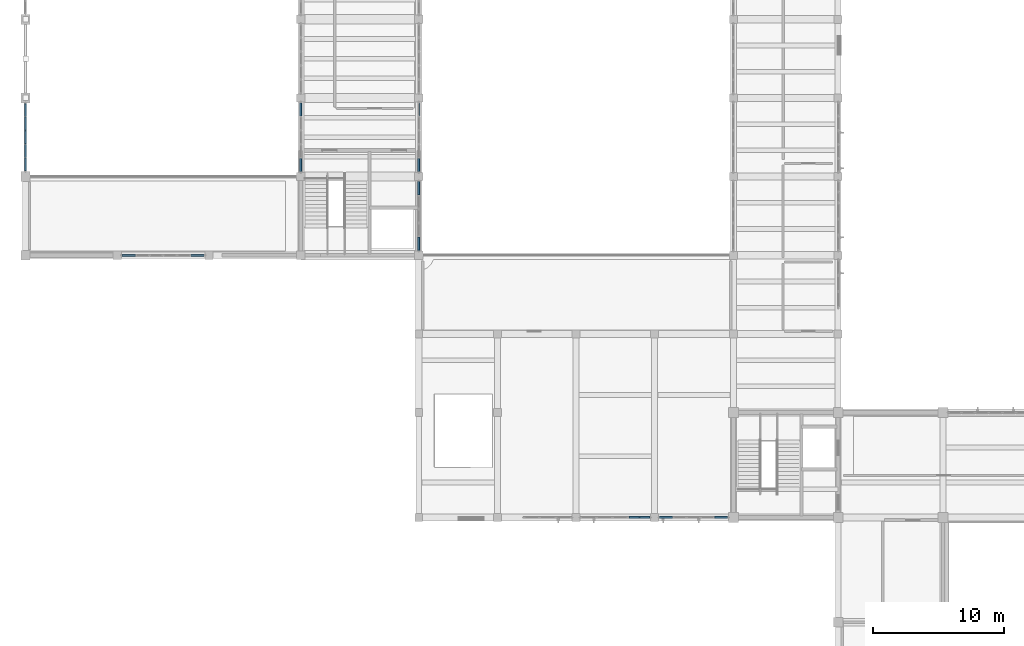
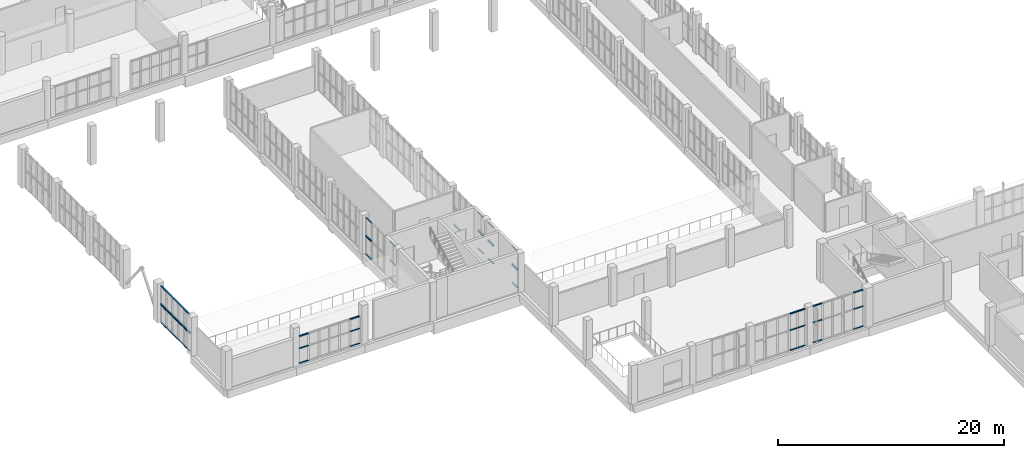
# One storey, part 33 of 85: 59 members, 11 elements without a shape of their own.
"""IFC4 building model written with IfcOpenShell, lengths in metres."""

from ifc_helpers import new_model, si_unit, direction, frame, origin, origin_2d, place, context, subcontext, project, spatial, rectangle, extrude, material, layer, layer_set, material_profile, profile_set, type_object, element, aggregate, save


model = new_model("IFC4")

# Units and contexts
model_context = context("Model", 3, precision=1e-05, world=origin(), true_north=direction((0.0, 1.0)))
body_context = subcontext(model_context, "Body", "Model", "MODEL_VIEW")
ifc_project = project(units=[si_unit("LENGTHUNIT", "METRE"), si_unit("AREAUNIT", "SQUARE_METRE"), si_unit("VOLUMEUNIT", "CUBIC_METRE"), si_unit("PLANEANGLEUNIT", "RADIAN"), si_unit("MASSUNIT", "GRAM", prefix="KILO")], contexts=[model_context])

# Site, building, storey
site_placement = place(None, origin())
site = spatial("IfcSite", under=ifc_project, at=site_placement, CompositionType="ELEMENT")
building_placement = place(site_placement, origin())
building = spatial("IfcBuilding", under=site, at=building_placement, Name="Solvane Community Centre", CompositionType="ELEMENT")
storey_placement = place(building_placement, frame((0.0, 0.0, 5.39990234375)))
storey = spatial("IfcBuildingStorey", under=building, at=storey_placement, Name="L01", CompositionType="ELEMENT", Elevation=5.39990234375)

# Curtain wall, members
ifc_material = material(Name="Anodised bronze aluminium AW-6063 T6", Category="aluminium")
ifc_layer_1 = layer(ifc_material, 0.18994140625)
ifc_layer_set_1 = layer_set([ifc_layer_1], Name="Anodised bronze aluminium AW-6063 T6")
curtain_wall_type_1 = type_object("IfcCurtainWallType", Name="Boulevard Bronze Vision Curtain Wall [53x40dm]", PredefinedType="NOTDEFINED", material=ifc_layer_set_1)
curtain_wall_1_placement = place(storey_placement, origin())
curtain_wall_1 = element("IfcCurtainWall", 1, at=curtain_wall_1_placement, inside=storey, type_object=curtain_wall_type_1, Name="Curtain Wall CW-L01-596_220-080", PredefinedType="NOTDEFINED")
ifc_material_profile_1 = material_profile(ifc_material, rectangle(XDim=0.14990234375, YDim=0.06005859375, at=origin_2d()), Name="CW-T 60x150")
ifc_profile_set_1 = profile_set([ifc_material_profile_1], Name="Anodised bronze aluminium AW-6063 T6")
member_type_1 = type_object("IfcMemberType", Name="Boulevard Transom 60x150", PredefinedType="USERDEFINED", material=ifc_profile_set_1)
member_1_placement = place(storey_placement, frame((59.550048828125, 22.0, 0.030029296875), z_axis=(-1.0, 0.0, 0.0), x_axis=(0.0, -1.0, 0.0)))
member_1 = element("IfcMember", 2, at=member_1_placement, type_object=member_type_1, Name="CW02-53x40 transom 1.1", ObjectType="TRANSOM", PredefinedType="USERDEFINED", context=body_context, shape_type="SweptSolid", body=[
    extrude(rectangle(XDim=0.14990234375, YDim=0.06005859375, at=origin_2d()), origin(), (0.0, 0.0, 1.0), 0.968017578125),
])
member_2_placement = place(storey_placement, frame((59.550048828125, 22.0, 2.189208984375), z_axis=(-1.0, 0.0, 0.0), x_axis=(0.0, -1.0, 0.0)))
member_2 = element("IfcMember", 3, at=member_2_placement, type_object=member_type_1, Name="CW02-53x40 transom 1.2", ObjectType="TRANSOM", PredefinedType="USERDEFINED", context=body_context, shape_type="SweptSolid", body=[
    extrude(rectangle(XDim=0.14990234375, YDim=0.06005859375, at=origin_2d()), origin(), (0.0, 0.0, 1.0), 0.968017578125),
])
member_3_placement = place(storey_placement, frame((59.550048828125, 22.0, 3.9501953125), z_axis=(-1.0, 0.0, 0.0), x_axis=(0.0, -1.0, 0.0)))
member_3 = element("IfcMember", 4, at=member_3_placement, type_object=member_type_1, Name="CW02-53x40 transom 1.3", ObjectType="TRANSOM", PredefinedType="USERDEFINED", context=body_context, shape_type="SweptSolid", body=[
    extrude(rectangle(XDim=0.14990234375, YDim=0.06005859375, at=origin_2d()), origin(), (0.0, 0.0, 1.0), 0.968017578125),
])
member_4_placement = place(storey_placement, frame((55.347900390625, 22.0, 0.030029296875), z_axis=(-1.0, 0.0, 0.0), x_axis=(0.0, -1.0, 0.0)))
member_4 = element("IfcMember", 5, at=member_4_placement, type_object=member_type_1, Name="CW02-53x40 transom 5.1", ObjectType="TRANSOM", PredefinedType="USERDEFINED", context=body_context, shape_type="SweptSolid", body=[
    extrude(rectangle(XDim=0.14990234375, YDim=0.06005859375, at=origin_2d()), origin(), (0.0, 0.0, 1.0), 0.968017578125),
])
member_5_placement = place(storey_placement, frame((55.347900390625, 22.0, 2.189208984375), z_axis=(-1.0, 0.0, 0.0), x_axis=(0.0, -1.0, 0.0)))
member_5 = element("IfcMember", 6, at=member_5_placement, type_object=member_type_1, Name="CW02-53x40 transom 5.2", ObjectType="TRANSOM", PredefinedType="USERDEFINED", context=body_context, shape_type="SweptSolid", body=[
    extrude(rectangle(XDim=0.14990234375, YDim=0.06005859375, at=origin_2d()), origin(), (0.0, 0.0, 1.0), 0.968017578125),
])
member_6_placement = place(storey_placement, frame((55.347900390625, 22.0, 3.9501953125), z_axis=(-1.0, 0.0, 0.0), x_axis=(0.0, -1.0, 0.0)))
member_6 = element("IfcMember", 7, at=member_6_placement, type_object=member_type_1, Name="CW02-53x40 transom 5.3", ObjectType="TRANSOM", PredefinedType="USERDEFINED", context=body_context, shape_type="SweptSolid", body=[
    extrude(rectangle(XDim=0.14990234375, YDim=0.06005859375, at=origin_2d()), origin(), (0.0, 0.0, 1.0), 0.968017578125),
])
aggregate(curtain_wall_1, [member_1, member_2, member_3, member_4, member_5, member_6])

ifc_layer_2 = layer(ifc_material, 0.18994140625)
ifc_layer_set_2 = layer_set([ifc_layer_2], Name="Anodised bronze aluminium AW-6063 T6")
curtain_wall_type_2 = type_object("IfcCurtainWallType", Name="Boulevard Bronze Vision Curtain Wall [17x40dm]", PredefinedType="NOTDEFINED", material=ifc_layer_set_2)
curtain_wall_2_placement = place(storey_placement, origin())
curtain_wall_2 = element("IfcCurtainWall", 8, at=curtain_wall_2_placement, inside=storey, type_object=curtain_wall_type_2, Name="Curtain Wall CW-L01-537_220-081", PredefinedType="NOTDEFINED")
member_7_placement = place(storey_placement, frame((53.6201171875, 22.0, 0.030029296875), z_axis=(-1.0, 0.0, 0.0), x_axis=(0.0, -1.0, 0.0)))
member_7 = element("IfcMember", 9, at=member_7_placement, type_object=member_type_1, Name="CW02-17x40 transom 1.1", ObjectType="TRANSOM", PredefinedType="USERDEFINED", context=body_context, shape_type="SweptSolid", body=[
    extrude(rectangle(XDim=0.14990234375, YDim=0.06005859375, at=origin_2d()), origin(), (0.0, 0.0, 1.0), 0.75),
])
member_8_placement = place(storey_placement, frame((53.6201171875, 22.0, 2.189208984375), z_axis=(-1.0, 0.0, 0.0), x_axis=(0.0, -1.0, 0.0)))
member_8 = element("IfcMember", 10, at=member_8_placement, type_object=member_type_1, Name="CW02-17x40 transom 1.2", ObjectType="TRANSOM", PredefinedType="USERDEFINED", context=body_context, shape_type="SweptSolid", body=[
    extrude(rectangle(XDim=0.14990234375, YDim=0.06005859375, at=origin_2d()), origin(), (0.0, 0.0, 1.0), 0.75),
])
member_9_placement = place(storey_placement, frame((53.6201171875, 22.0, 3.9501953125), z_axis=(-1.0, 0.0, 0.0), x_axis=(0.0, -1.0, 0.0)))
member_9 = element("IfcMember", 11, at=member_9_placement, type_object=member_type_1, Name="CW02-17x40 transom 1.3", ObjectType="TRANSOM", PredefinedType="USERDEFINED", context=body_context, shape_type="SweptSolid", body=[
    extrude(rectangle(XDim=0.14990234375, YDim=0.06005859375, at=origin_2d()), origin(), (0.0, 0.0, 1.0), 0.75),
])
member_10_placement = place(storey_placement, frame((52.81005859375, 22.0, 0.030029296875), z_axis=(-1.0, 0.0, 0.0), x_axis=(0.0, -1.0, 0.0)))
member_10 = element("IfcMember", 12, at=member_10_placement, type_object=member_type_1, Name="CW02-17x40 transom 2.1", ObjectType="TRANSOM", PredefinedType="USERDEFINED", context=body_context, shape_type="SweptSolid", body=[
    extrude(rectangle(XDim=0.14990234375, YDim=0.06005859375, at=origin_2d()), origin(), (0.0, 0.0, 1.0), 0.75),
])
member_11_placement = place(storey_placement, frame((52.81005859375, 22.0, 2.189208984375), z_axis=(-1.0, 0.0, 0.0), x_axis=(0.0, -1.0, 0.0)))
member_11 = element("IfcMember", 13, at=member_11_placement, type_object=member_type_1, Name="CW02-17x40 transom 2.2", ObjectType="TRANSOM", PredefinedType="USERDEFINED", context=body_context, shape_type="SweptSolid", body=[
    extrude(rectangle(XDim=0.14990234375, YDim=0.06005859375, at=origin_2d()), origin(), (0.0, 0.0, 1.0), 0.75),
])
member_12_placement = place(storey_placement, frame((52.81005859375, 22.0, 3.9501953125), z_axis=(-1.0, 0.0, 0.0), x_axis=(0.0, -1.0, 0.0)))
member_12 = element("IfcMember", 14, at=member_12_placement, type_object=member_type_1, Name="CW02-17x40 transom 2.3", ObjectType="TRANSOM", PredefinedType="USERDEFINED", context=body_context, shape_type="SweptSolid", body=[
    extrude(rectangle(XDim=0.14990234375, YDim=0.06005859375, at=origin_2d()), origin(), (0.0, 0.0, 1.0), 0.75),
])
aggregate(curtain_wall_2, [member_7, member_8, member_9, member_10, member_11, member_12])

ifc_layer_3 = layer(ifc_material, 0.18994140625)
ifc_layer_set_3 = layer_set([ifc_layer_3], Name="Anodised bronze aluminium AW-6063 T6")
curtain_wall_type_3 = type_object("IfcCurtainWallType", Name="Boulevard Bronze Vision Curtain Wall [63x30dm]", PredefinedType="NOTDEFINED", material=ifc_layer_set_3)
curtain_wall_3_placement = place(storey_placement, origin())
curtain_wall_3 = element("IfcCurtainWall", 15, at=curtain_wall_3_placement, inside=storey, type_object=curtain_wall_type_3, Name="Curtain Wall CW-L01-197_420-084", PredefinedType="NOTDEFINED")
member_13_placement = place(storey_placement, frame((19.610107421875, 42.0, 0.030029296875), z_axis=(-1.0, 0.0, 0.0), x_axis=(0.0, -1.0, 0.0)))
member_13 = element("IfcMember", 16, at=member_13_placement, type_object=member_type_1, Name="CW02-63x30 transom 1.1", ObjectType="TRANSOM", PredefinedType="USERDEFINED", context=body_context, shape_type="SweptSolid", body=[
    extrude(rectangle(XDim=0.14990234375, YDim=0.06005859375, at=origin_2d()), origin(), (0.0, 0.0, 1.0), 0.966796875),
])
member_14_placement = place(storey_placement, frame((19.610107421875, 42.0, 1.631103515625), z_axis=(-1.0, 0.0, 0.0), x_axis=(0.0, -1.0, 0.0)))
member_14 = element("IfcMember", 17, at=member_14_placement, type_object=member_type_1, Name="CW02-63x30 transom 1.2", ObjectType="TRANSOM", PredefinedType="USERDEFINED", context=body_context, shape_type="SweptSolid", body=[
    extrude(rectangle(XDim=0.14990234375, YDim=0.06005859375, at=origin_2d()), origin(), (0.0, 0.0, 1.0), 0.966796875),
])
member_15_placement = place(storey_placement, frame((19.610107421875, 42.0, 2.93505859375), z_axis=(-1.0, 0.0, 0.0), x_axis=(0.0, -1.0, 0.0)))
member_15 = element("IfcMember", 18, at=member_15_placement, type_object=member_type_1, Name="CW02-63x30 transom 1.3", ObjectType="TRANSOM", PredefinedType="USERDEFINED", context=body_context, shape_type="SweptSolid", body=[
    extrude(rectangle(XDim=0.14990234375, YDim=0.06005859375, at=origin_2d()), origin(), (0.0, 0.0, 1.0), 0.966796875),
])
member_16_placement = place(storey_placement, frame((14.356689453125, 42.0, 0.030029296875), z_axis=(-1.0, 0.0, 0.0), x_axis=(0.0, -1.0, 0.0)))
member_16 = element("IfcMember", 19, at=member_16_placement, type_object=member_type_1, Name="CW02-63x30 transom 6.1", ObjectType="TRANSOM", PredefinedType="USERDEFINED", context=body_context, shape_type="SweptSolid", body=[
    extrude(rectangle(XDim=0.14990234375, YDim=0.06005859375, at=origin_2d()), origin(), (0.0, 0.0, 1.0), 0.966796875),
])
member_17_placement = place(storey_placement, frame((14.356689453125, 42.0, 1.631103515625), z_axis=(-1.0, 0.0, 0.0), x_axis=(0.0, -1.0, 0.0)))
member_17 = element("IfcMember", 20, at=member_17_placement, type_object=member_type_1, Name="CW02-63x30 transom 6.2", ObjectType="TRANSOM", PredefinedType="USERDEFINED", context=body_context, shape_type="SweptSolid", body=[
    extrude(rectangle(XDim=0.14990234375, YDim=0.06005859375, at=origin_2d()), origin(), (0.0, 0.0, 1.0), 0.966796875),
])
member_18_placement = place(storey_placement, frame((14.356689453125, 42.0, 2.93505859375), z_axis=(-1.0, 0.0, 0.0), x_axis=(0.0, -1.0, 0.0)))
member_18 = element("IfcMember", 21, at=member_18_placement, type_object=member_type_1, Name="CW02-63x30 transom 6.3", ObjectType="TRANSOM", PredefinedType="USERDEFINED", context=body_context, shape_type="SweptSolid", body=[
    extrude(rectangle(XDim=0.14990234375, YDim=0.06005859375, at=origin_2d()), origin(), (0.0, 0.0, 1.0), 0.966796875),
])
aggregate(curtain_wall_3, [member_13, member_14, member_15, member_16, member_17, member_18])

ifc_layer_4 = layer(ifc_material, 0.179931640625)
ifc_layer_set_4 = layer_set([ifc_layer_4], Name="Anodised bronze aluminium AW-6063 T6")
curtain_wall_type_4 = type_object("IfcCurtainWallType", Name="Hall Translucent Upper Curtain Wall [53x19dm]", PredefinedType="NOTDEFINED", material=ifc_layer_set_4)
curtain_wall_4_placement = place(storey_placement, origin())
curtain_wall_4 = element("IfcCurtainWall", 22, at=curtain_wall_4_placement, inside=storey, type_object=curtain_wall_type_4, Name="Curtain Wall CW-L01-360_423-031", PredefinedType="NOTDEFINED")
ifc_material_profile_2 = material_profile(ifc_material, rectangle(XDim=0.139892578125, YDim=0.06005859375, at=origin_2d()), Name="CW-T 60x140")
ifc_profile_set_2 = profile_set([ifc_material_profile_2], Name="Anodised bronze aluminium AW-6063 T6")
member_type_2 = type_object("IfcMemberType", Name="Hall Transom 60x140", PredefinedType="USERDEFINED", material=ifc_profile_set_2)
member_19_placement = place(storey_placement, frame((36.0, 42.389892578125, 0.030029296875), z_axis=(0.0, 1.0, 0.0), x_axis=(-1.0, 0.0, 0.0)))
member_19 = element("IfcMember", 23, at=member_19_placement, type_object=member_type_2, Name="CW01-53x19 transom 1.1", ObjectType="TRANSOM", PredefinedType="USERDEFINED", context=body_context, shape_type="SweptSolid", body=[
    extrude(rectangle(XDim=0.139892578125, YDim=0.06005859375, at=origin_2d()), origin(), (0.0, 0.0, 1.0), 0.97802734375),
])
member_20_placement = place(storey_placement, frame((36.0, 42.389892578125, 1.920166015625), z_axis=(0.0, 1.0, 0.0), x_axis=(-1.0, 0.0, 0.0)))
member_20 = element("IfcMember", 24, at=member_20_placement, type_object=member_type_2, Name="CW01-53x19 transom 1.2", ObjectType="TRANSOM", PredefinedType="USERDEFINED", context=body_context, shape_type="SweptSolid", body=[
    extrude(rectangle(XDim=0.139892578125, YDim=0.06005859375, at=origin_2d()), origin(), (0.0, 0.0, 1.0), 0.97802734375),
])
member_21_placement = place(storey_placement, frame((36.0, 46.632080078125, 0.030029296875), z_axis=(0.0, 1.0, 0.0), x_axis=(-1.0, 0.0, 0.0)))
member_21 = element("IfcMember", 25, at=member_21_placement, type_object=member_type_2, Name="CW01-53x19 transom 5.1", ObjectType="TRANSOM", PredefinedType="USERDEFINED", context=body_context, shape_type="SweptSolid", body=[
    extrude(rectangle(XDim=0.139892578125, YDim=0.06005859375, at=origin_2d()), origin(), (0.0, 0.0, 1.0), 0.97802734375),
])
member_22_placement = place(storey_placement, frame((36.0, 46.632080078125, 1.920166015625), z_axis=(0.0, 1.0, 0.0), x_axis=(-1.0, 0.0, 0.0)))
member_22 = element("IfcMember", 26, at=member_22_placement, type_object=member_type_2, Name="CW01-53x19 transom 5.2", ObjectType="TRANSOM", PredefinedType="USERDEFINED", context=body_context, shape_type="SweptSolid", body=[
    extrude(rectangle(XDim=0.139892578125, YDim=0.06005859375, at=origin_2d()), origin(), (0.0, 0.0, 1.0), 0.97802734375),
])
aggregate(curtain_wall_4, [member_19, member_20, member_21, member_22])

ifc_layer_5 = layer(ifc_material, 0.179931640625)
ifc_layer_set_5 = layer_set([ifc_layer_5], Name="Anodised bronze aluminium AW-6063 T6")
curtain_wall_type_5 = type_object("IfcCurtainWallType", Name="Hall Translucent Upper Curtain Wall [53x20dm]", PredefinedType="NOTDEFINED", material=ifc_layer_set_5)
curtain_wall_5_placement = place(storey_placement, origin())
curtain_wall_5 = element("IfcCurtainWall", 27, at=curtain_wall_5_placement, inside=storey, type_object=curtain_wall_type_5, Name="Curtain Wall CW-L01-360_423-032", PredefinedType="NOTDEFINED")
member_23_placement = place(storey_placement, frame((36.0, 42.389892578125, 2.050048828125), z_axis=(0.0, 1.0, 0.0), x_axis=(-1.0, 0.0, 0.0)))
member_23 = element("IfcMember", 28, at=member_23_placement, type_object=member_type_2, Name="CW01-53x20 transom 1.1", ObjectType="TRANSOM", PredefinedType="USERDEFINED", context=body_context, shape_type="SweptSolid", body=[
    extrude(rectangle(XDim=0.139892578125, YDim=0.06005859375, at=origin_2d()), origin(), (0.0, 0.0, 1.0), 0.97802734375),
])
member_24_placement = place(storey_placement, frame((36.0, 42.389892578125, 3.9501953125), z_axis=(0.0, 1.0, 0.0), x_axis=(-1.0, 0.0, 0.0)))
member_24 = element("IfcMember", 29, at=member_24_placement, type_object=member_type_2, Name="CW01-53x20 transom 1.2", ObjectType="TRANSOM", PredefinedType="USERDEFINED", context=body_context, shape_type="SweptSolid", body=[
    extrude(rectangle(XDim=0.139892578125, YDim=0.06005859375, at=origin_2d()), origin(), (0.0, 0.0, 1.0), 0.97802734375),
])
member_25_placement = place(storey_placement, frame((36.0, 46.632080078125, 2.050048828125), z_axis=(0.0, 1.0, 0.0), x_axis=(-1.0, 0.0, 0.0)))
member_25 = element("IfcMember", 30, at=member_25_placement, type_object=member_type_2, Name="CW01-53x20 transom 5.1", ObjectType="TRANSOM", PredefinedType="USERDEFINED", context=body_context, shape_type="SweptSolid", body=[
    extrude(rectangle(XDim=0.139892578125, YDim=0.06005859375, at=origin_2d()), origin(), (0.0, 0.0, 1.0), 0.97802734375),
])
member_26_placement = place(storey_placement, frame((36.0, 46.632080078125, 3.9501953125), z_axis=(0.0, 1.0, 0.0), x_axis=(-1.0, 0.0, 0.0)))
member_26 = element("IfcMember", 31, at=member_26_placement, type_object=member_type_2, Name="CW01-53x20 transom 5.2", ObjectType="TRANSOM", PredefinedType="USERDEFINED", context=body_context, shape_type="SweptSolid", body=[
    extrude(rectangle(XDim=0.139892578125, YDim=0.06005859375, at=origin_2d()), origin(), (0.0, 0.0, 1.0), 0.97802734375),
])
aggregate(curtain_wall_5, [member_23, member_24, member_25, member_26])

curtain_wall_6_placement = place(storey_placement, origin())
curtain_wall_6 = element("IfcCurtainWall", 32, at=curtain_wall_6_placement, inside=storey, type_object=curtain_wall_type_4, Name="Curtain Wall CW-L01-360_483-035", PredefinedType="NOTDEFINED")
member_27_placement = place(storey_placement, frame((36.0, 48.389892578125, 0.030029296875), z_axis=(0.0, 1.0, 0.0), x_axis=(-1.0, 0.0, 0.0)))
member_27 = element("IfcMember", 33, at=member_27_placement, type_object=member_type_2, Name="CW01-53x19 transom 1.1", ObjectType="TRANSOM", PredefinedType="USERDEFINED", context=body_context, shape_type="SweptSolid", body=[
    extrude(rectangle(XDim=0.139892578125, YDim=0.06005859375, at=origin_2d()), origin(), (0.0, 0.0, 1.0), 0.97802734375),
])
member_28_placement = place(storey_placement, frame((36.0, 48.389892578125, 1.920166015625), z_axis=(0.0, 1.0, 0.0), x_axis=(-1.0, 0.0, 0.0)))
member_28 = element("IfcMember", 34, at=member_28_placement, type_object=member_type_2, Name="CW01-53x19 transom 1.2", ObjectType="TRANSOM", PredefinedType="USERDEFINED", context=body_context, shape_type="SweptSolid", body=[
    extrude(rectangle(XDim=0.139892578125, YDim=0.06005859375, at=origin_2d()), origin(), (0.0, 0.0, 1.0), 0.97802734375),
])
member_29_placement = place(storey_placement, frame((36.0, 52.632080078125, 0.030029296875), z_axis=(0.0, 1.0, 0.0), x_axis=(-1.0, 0.0, 0.0)))
member_29 = element("IfcMember", 35, at=member_29_placement, type_object=member_type_2, Name="CW01-53x19 transom 5.1", ObjectType="TRANSOM", PredefinedType="USERDEFINED", context=body_context, shape_type="SweptSolid", body=[
    extrude(rectangle(XDim=0.139892578125, YDim=0.06005859375, at=origin_2d()), origin(), (0.0, 0.0, 1.0), 0.97802734375),
])
aggregate(curtain_wall_6, [member_27, member_28, member_29])

curtain_wall_7_placement = place(storey_placement, origin())
curtain_wall_7 = element("IfcCurtainWall", 36, at=curtain_wall_7_placement, inside=storey, type_object=curtain_wall_type_5, Name="Curtain Wall CW-L01-360_483-036", PredefinedType="NOTDEFINED")
member_30_placement = place(storey_placement, frame((36.0, 48.389892578125, 2.050048828125), z_axis=(0.0, 1.0, 0.0), x_axis=(-1.0, 0.0, 0.0)))
member_30 = element("IfcMember", 37, at=member_30_placement, type_object=member_type_2, Name="CW01-53x20 transom 1.1", ObjectType="TRANSOM", PredefinedType="USERDEFINED", context=body_context, shape_type="SweptSolid", body=[
    extrude(rectangle(XDim=0.139892578125, YDim=0.06005859375, at=origin_2d()), origin(), (0.0, 0.0, 1.0), 0.97802734375),
])
member_31_placement = place(storey_placement, frame((36.0, 48.389892578125, 3.9501953125), z_axis=(0.0, 1.0, 0.0), x_axis=(-1.0, 0.0, 0.0)))
member_31 = element("IfcMember", 38, at=member_31_placement, type_object=member_type_2, Name="CW01-53x20 transom 1.2", ObjectType="TRANSOM", PredefinedType="USERDEFINED", context=body_context, shape_type="SweptSolid", body=[
    extrude(rectangle(XDim=0.139892578125, YDim=0.06005859375, at=origin_2d()), origin(), (0.0, 0.0, 1.0), 0.97802734375),
])
aggregate(curtain_wall_7, [member_30, member_31])

ifc_layer_6 = layer(ifc_material, 0.179931640625)
ifc_layer_set_6 = layer_set([ifc_layer_6], Name="Anodised bronze aluminium AW-6063 T6")
curtain_wall_type_6 = type_object("IfcCurtainWallType", Name="Hall Translucent Upper Curtain Wall [52x19dm]", PredefinedType="NOTDEFINED", material=ifc_layer_set_6)
curtain_wall_8_placement = place(storey_placement, origin())
curtain_wall_8 = element("IfcCurtainWall", 39, at=curtain_wall_8_placement, inside=storey, type_object=curtain_wall_type_6, Name="Curtain Wall CW-L01-60_484-039", PredefinedType="NOTDEFINED")
member_32_placement = place(storey_placement, frame((6.0, 48.455078125, 0.030029296875), z_axis=(0.0, 1.0, 0.0), x_axis=(-1.0, 0.0, 0.0)))
member_32 = element("IfcMember", 40, at=member_32_placement, type_object=member_type_2, Name="CW01-52x19 transom 1.1", ObjectType="TRANSOM", PredefinedType="USERDEFINED", context=body_context, shape_type="SweptSolid", body=[
    extrude(rectangle(XDim=0.139892578125, YDim=0.06005859375, at=origin_2d()), origin(), (0.0, 0.0, 1.0), 0.951904296875),
])
member_33_placement = place(storey_placement, frame((6.0, 48.455078125, 1.920166015625), z_axis=(0.0, 1.0, 0.0), x_axis=(-1.0, 0.0, 0.0)))
member_33 = element("IfcMember", 41, at=member_33_placement, type_object=member_type_2, Name="CW01-52x19 transom 1.2", ObjectType="TRANSOM", PredefinedType="USERDEFINED", context=body_context, shape_type="SweptSolid", body=[
    extrude(rectangle(XDim=0.139892578125, YDim=0.06005859375, at=origin_2d()), origin(), (0.0, 0.0, 1.0), 0.951904296875),
])
member_34_placement = place(storey_placement, frame((6.0, 49.467041015625, 0.030029296875), z_axis=(0.0, 1.0, 0.0), x_axis=(-1.0, 0.0, 0.0)))
member_34 = element("IfcMember", 42, at=member_34_placement, type_object=member_type_2, Name="CW01-52x19 transom 2.1", ObjectType="TRANSOM", PredefinedType="USERDEFINED", context=body_context, shape_type="SweptSolid", body=[
    extrude(rectangle(XDim=0.139892578125, YDim=0.06005859375, at=origin_2d()), origin(), (0.0, 0.0, 1.0), 0.98193359375),
])
member_35_placement = place(storey_placement, frame((6.0, 49.467041015625, 1.920166015625), z_axis=(0.0, 1.0, 0.0), x_axis=(-1.0, 0.0, 0.0)))
member_35 = element("IfcMember", 43, at=member_35_placement, type_object=member_type_2, Name="CW01-52x19 transom 2.2", ObjectType="TRANSOM", PredefinedType="USERDEFINED", context=body_context, shape_type="SweptSolid", body=[
    extrude(rectangle(XDim=0.139892578125, YDim=0.06005859375, at=origin_2d()), origin(), (0.0, 0.0, 1.0), 0.98193359375),
])
member_36_placement = place(storey_placement, frame((6.0, 50.509033203125, 0.030029296875), z_axis=(0.0, 1.0, 0.0), x_axis=(-1.0, 0.0, 0.0)))
member_36 = element("IfcMember", 44, at=member_36_placement, type_object=member_type_2, Name="CW01-52x19 transom 3.1", ObjectType="TRANSOM", PredefinedType="USERDEFINED", context=body_context, shape_type="SweptSolid", body=[
    extrude(rectangle(XDim=0.139892578125, YDim=0.06005859375, at=origin_2d()), origin(), (0.0, 0.0, 1.0), 0.98193359375),
])
member_37_placement = place(storey_placement, frame((6.0, 50.509033203125, 1.920166015625), z_axis=(0.0, 1.0, 0.0), x_axis=(-1.0, 0.0, 0.0)))
member_37 = element("IfcMember", 45, at=member_37_placement, type_object=member_type_2, Name="CW01-52x19 transom 3.2", ObjectType="TRANSOM", PredefinedType="USERDEFINED", context=body_context, shape_type="SweptSolid", body=[
    extrude(rectangle(XDim=0.139892578125, YDim=0.06005859375, at=origin_2d()), origin(), (0.0, 0.0, 1.0), 0.98193359375),
])
member_38_placement = place(storey_placement, frame((6.0, 51.551025390625, 0.030029296875), z_axis=(0.0, 1.0, 0.0), x_axis=(-1.0, 0.0, 0.0)))
member_38 = element("IfcMember", 46, at=member_38_placement, type_object=member_type_2, Name="CW01-52x19 transom 4.1", ObjectType="TRANSOM", PredefinedType="USERDEFINED", context=body_context, shape_type="SweptSolid", body=[
    extrude(rectangle(XDim=0.139892578125, YDim=0.06005859375, at=origin_2d()), origin(), (0.0, 0.0, 1.0), 0.98193359375),
])
member_39_placement = place(storey_placement, frame((6.0, 51.551025390625, 1.920166015625), z_axis=(0.0, 1.0, 0.0), x_axis=(-1.0, 0.0, 0.0)))
member_39 = element("IfcMember", 47, at=member_39_placement, type_object=member_type_2, Name="CW01-52x19 transom 4.2", ObjectType="TRANSOM", PredefinedType="USERDEFINED", context=body_context, shape_type="SweptSolid", body=[
    extrude(rectangle(XDim=0.139892578125, YDim=0.06005859375, at=origin_2d()), origin(), (0.0, 0.0, 1.0), 0.98193359375),
])
member_40_placement = place(storey_placement, frame((6.0, 52.593017578125, 0.030029296875), z_axis=(0.0, 1.0, 0.0), x_axis=(-1.0, 0.0, 0.0)))
member_40 = element("IfcMember", 48, at=member_40_placement, type_object=member_type_2, Name="CW01-52x19 transom 5.1", ObjectType="TRANSOM", PredefinedType="USERDEFINED", context=body_context, shape_type="SweptSolid", body=[
    extrude(rectangle(XDim=0.139892578125, YDim=0.06005859375, at=origin_2d()), origin(), (0.0, 0.0, 1.0), 0.951904296875),
])
member_41_placement = place(storey_placement, frame((6.0, 52.593017578125, 1.920166015625), z_axis=(0.0, 1.0, 0.0), x_axis=(-1.0, 0.0, 0.0)))
member_41 = element("IfcMember", 49, at=member_41_placement, type_object=member_type_2, Name="CW01-52x19 transom 5.2", ObjectType="TRANSOM", PredefinedType="USERDEFINED", context=body_context, shape_type="SweptSolid", body=[
    extrude(rectangle(XDim=0.139892578125, YDim=0.06005859375, at=origin_2d()), origin(), (0.0, 0.0, 1.0), 0.951904296875),
])
aggregate(curtain_wall_8, [member_32, member_33, member_34, member_35, member_36, member_37, member_38, member_39, member_40, member_41])

ifc_layer_7 = layer(ifc_material, 0.179931640625)
ifc_layer_set_7 = layer_set([ifc_layer_7], Name="Anodised bronze aluminium AW-6063 T6")
curtain_wall_type_7 = type_object("IfcCurtainWallType", Name="Hall Translucent Upper Curtain Wall [52x20dm]", PredefinedType="NOTDEFINED", material=ifc_layer_set_7)
curtain_wall_9_placement = place(storey_placement, origin())
curtain_wall_9 = element("IfcCurtainWall", 50, at=curtain_wall_9_placement, inside=storey, type_object=curtain_wall_type_7, Name="Curtain Wall CW-L01-60_484-040", PredefinedType="NOTDEFINED")
member_42_placement = place(storey_placement, frame((6.0, 48.455078125, 2.050048828125), z_axis=(0.0, 1.0, 0.0), x_axis=(-1.0, 0.0, 0.0)))
member_42 = element("IfcMember", 51, at=member_42_placement, type_object=member_type_2, Name="CW01-52x20 transom 1.1", ObjectType="TRANSOM", PredefinedType="USERDEFINED", context=body_context, shape_type="SweptSolid", body=[
    extrude(rectangle(XDim=0.139892578125, YDim=0.06005859375, at=origin_2d()), origin(), (0.0, 0.0, 1.0), 0.951904296875),
])
member_43_placement = place(storey_placement, frame((6.0, 48.455078125, 3.9501953125), z_axis=(0.0, 1.0, 0.0), x_axis=(-1.0, 0.0, 0.0)))
member_43 = element("IfcMember", 52, at=member_43_placement, type_object=member_type_2, Name="CW01-52x20 transom 1.2", ObjectType="TRANSOM", PredefinedType="USERDEFINED", context=body_context, shape_type="SweptSolid", body=[
    extrude(rectangle(XDim=0.139892578125, YDim=0.06005859375, at=origin_2d()), origin(), (0.0, 0.0, 1.0), 0.951904296875),
])
member_44_placement = place(storey_placement, frame((6.0, 49.467041015625, 2.050048828125), z_axis=(0.0, 1.0, 0.0), x_axis=(-1.0, 0.0, 0.0)))
member_44 = element("IfcMember", 53, at=member_44_placement, type_object=member_type_2, Name="CW01-52x20 transom 2.1", ObjectType="TRANSOM", PredefinedType="USERDEFINED", context=body_context, shape_type="SweptSolid", body=[
    extrude(rectangle(XDim=0.139892578125, YDim=0.06005859375, at=origin_2d()), origin(), (0.0, 0.0, 1.0), 0.98193359375),
])
member_45_placement = place(storey_placement, frame((6.0, 49.467041015625, 3.9501953125), z_axis=(0.0, 1.0, 0.0), x_axis=(-1.0, 0.0, 0.0)))
member_45 = element("IfcMember", 54, at=member_45_placement, type_object=member_type_2, Name="CW01-52x20 transom 2.2", ObjectType="TRANSOM", PredefinedType="USERDEFINED", context=body_context, shape_type="SweptSolid", body=[
    extrude(rectangle(XDim=0.139892578125, YDim=0.06005859375, at=origin_2d()), origin(), (0.0, 0.0, 1.0), 0.98193359375),
])
member_46_placement = place(storey_placement, frame((6.0, 50.509033203125, 2.050048828125), z_axis=(0.0, 1.0, 0.0), x_axis=(-1.0, 0.0, 0.0)))
member_46 = element("IfcMember", 55, at=member_46_placement, type_object=member_type_2, Name="CW01-52x20 transom 3.1", ObjectType="TRANSOM", PredefinedType="USERDEFINED", context=body_context, shape_type="SweptSolid", body=[
    extrude(rectangle(XDim=0.139892578125, YDim=0.06005859375, at=origin_2d()), origin(), (0.0, 0.0, 1.0), 0.98193359375),
])
member_47_placement = place(storey_placement, frame((6.0, 50.509033203125, 3.9501953125), z_axis=(0.0, 1.0, 0.0), x_axis=(-1.0, 0.0, 0.0)))
member_47 = element("IfcMember", 56, at=member_47_placement, type_object=member_type_2, Name="CW01-52x20 transom 3.2", ObjectType="TRANSOM", PredefinedType="USERDEFINED", context=body_context, shape_type="SweptSolid", body=[
    extrude(rectangle(XDim=0.139892578125, YDim=0.06005859375, at=origin_2d()), origin(), (0.0, 0.0, 1.0), 0.98193359375),
])
member_48_placement = place(storey_placement, frame((6.0, 51.551025390625, 2.050048828125), z_axis=(0.0, 1.0, 0.0), x_axis=(-1.0, 0.0, 0.0)))
member_48 = element("IfcMember", 57, at=member_48_placement, type_object=member_type_2, Name="CW01-52x20 transom 4.1", ObjectType="TRANSOM", PredefinedType="USERDEFINED", context=body_context, shape_type="SweptSolid", body=[
    extrude(rectangle(XDim=0.139892578125, YDim=0.06005859375, at=origin_2d()), origin(), (0.0, 0.0, 1.0), 0.98193359375),
])
member_49_placement = place(storey_placement, frame((6.0, 51.551025390625, 3.9501953125), z_axis=(0.0, 1.0, 0.0), x_axis=(-1.0, 0.0, 0.0)))
member_49 = element("IfcMember", 58, at=member_49_placement, type_object=member_type_2, Name="CW01-52x20 transom 4.2", ObjectType="TRANSOM", PredefinedType="USERDEFINED", context=body_context, shape_type="SweptSolid", body=[
    extrude(rectangle(XDim=0.139892578125, YDim=0.06005859375, at=origin_2d()), origin(), (0.0, 0.0, 1.0), 0.98193359375),
])
member_50_placement = place(storey_placement, frame((6.0, 52.593017578125, 2.050048828125), z_axis=(0.0, 1.0, 0.0), x_axis=(-1.0, 0.0, 0.0)))
member_50 = element("IfcMember", 59, at=member_50_placement, type_object=member_type_2, Name="CW01-52x20 transom 5.1", ObjectType="TRANSOM", PredefinedType="USERDEFINED", context=body_context, shape_type="SweptSolid", body=[
    extrude(rectangle(XDim=0.139892578125, YDim=0.06005859375, at=origin_2d()), origin(), (0.0, 0.0, 1.0), 0.951904296875),
])
member_51_placement = place(storey_placement, frame((6.0, 52.593017578125, 3.9501953125), z_axis=(0.0, 1.0, 0.0), x_axis=(-1.0, 0.0, 0.0)))
member_51 = element("IfcMember", 60, at=member_51_placement, type_object=member_type_2, Name="CW01-52x20 transom 5.2", ObjectType="TRANSOM", PredefinedType="USERDEFINED", context=body_context, shape_type="SweptSolid", body=[
    extrude(rectangle(XDim=0.139892578125, YDim=0.06005859375, at=origin_2d()), origin(), (0.0, 0.0, 1.0), 0.951904296875),
])
aggregate(curtain_wall_9, [member_42, member_43, member_44, member_45, member_46, member_47, member_48, member_49, member_50, member_51])

curtain_wall_10_placement = place(storey_placement, origin())
curtain_wall_10 = element("IfcCurtainWall", 61, at=curtain_wall_10_placement, inside=storey, type_object=curtain_wall_type_4, Name="Curtain Wall CW-L01-270_537-041", PredefinedType="NOTDEFINED")
member_52_placement = place(storey_placement, frame((27.0, 53.610107421875, 0.030029296875), z_axis=(0.0, -1.0, 0.0), x_axis=(1.0, 0.0, 0.0)))
member_52 = element("IfcMember", 62, at=member_52_placement, type_object=member_type_2, Name="CW01-53x19 transom 1.1", ObjectType="TRANSOM", PredefinedType="USERDEFINED", context=body_context, shape_type="SweptSolid", body=[
    extrude(rectangle(XDim=0.139892578125, YDim=0.06005859375, at=origin_2d()), origin(), (0.0, 0.0, 1.0), 0.97802734375),
])
member_53_placement = place(storey_placement, frame((27.0, 53.610107421875, 1.920166015625), z_axis=(0.0, -1.0, 0.0), x_axis=(1.0, 0.0, 0.0)))
member_53 = element("IfcMember", 63, at=member_53_placement, type_object=member_type_2, Name="CW01-53x19 transom 1.2", ObjectType="TRANSOM", PredefinedType="USERDEFINED", context=body_context, shape_type="SweptSolid", body=[
    extrude(rectangle(XDim=0.139892578125, YDim=0.06005859375, at=origin_2d()), origin(), (0.0, 0.0, 1.0), 0.97802734375),
])
member_54_placement = place(storey_placement, frame((27.0, 49.367919921875, 0.030029296875), z_axis=(0.0, -1.0, 0.0), x_axis=(1.0, 0.0, 0.0)))
member_54 = element("IfcMember", 64, at=member_54_placement, type_object=member_type_2, Name="CW01-53x19 transom 5.1", ObjectType="TRANSOM", PredefinedType="USERDEFINED", context=body_context, shape_type="SweptSolid", body=[
    extrude(rectangle(XDim=0.139892578125, YDim=0.06005859375, at=origin_2d()), origin(), (0.0, 0.0, 1.0), 0.97802734375),
])
member_55_placement = place(storey_placement, frame((27.0, 49.367919921875, 1.920166015625), z_axis=(0.0, -1.0, 0.0), x_axis=(1.0, 0.0, 0.0)))
member_55 = element("IfcMember", 65, at=member_55_placement, type_object=member_type_2, Name="CW01-53x19 transom 5.2", ObjectType="TRANSOM", PredefinedType="USERDEFINED", context=body_context, shape_type="SweptSolid", body=[
    extrude(rectangle(XDim=0.139892578125, YDim=0.06005859375, at=origin_2d()), origin(), (0.0, 0.0, 1.0), 0.97802734375),
])
aggregate(curtain_wall_10, [member_52, member_53, member_54, member_55])

curtain_wall_11_placement = place(storey_placement, origin())
curtain_wall_11 = element("IfcCurtainWall", 66, at=curtain_wall_11_placement, inside=storey, type_object=curtain_wall_type_5, Name="Curtain Wall CW-L01-270_537-042", PredefinedType="NOTDEFINED")
member_56_placement = place(storey_placement, frame((27.0, 53.610107421875, 2.050048828125), z_axis=(0.0, -1.0, 0.0), x_axis=(1.0, 0.0, 0.0)))
member_56 = element("IfcMember", 67, at=member_56_placement, type_object=member_type_2, Name="CW01-53x20 transom 1.1", ObjectType="TRANSOM", PredefinedType="USERDEFINED", context=body_context, shape_type="SweptSolid", body=[
    extrude(rectangle(XDim=0.139892578125, YDim=0.06005859375, at=origin_2d()), origin(), (0.0, 0.0, 1.0), 0.97802734375),
])
member_57_placement = place(storey_placement, frame((27.0, 53.610107421875, 3.9501953125), z_axis=(0.0, -1.0, 0.0), x_axis=(1.0, 0.0, 0.0)))
member_57 = element("IfcMember", 68, at=member_57_placement, type_object=member_type_2, Name="CW01-53x20 transom 1.2", ObjectType="TRANSOM", PredefinedType="USERDEFINED", context=body_context, shape_type="SweptSolid", body=[
    extrude(rectangle(XDim=0.139892578125, YDim=0.06005859375, at=origin_2d()), origin(), (0.0, 0.0, 1.0), 0.97802734375),
])
member_58_placement = place(storey_placement, frame((27.0, 49.367919921875, 2.050048828125), z_axis=(0.0, -1.0, 0.0), x_axis=(1.0, 0.0, 0.0)))
member_58 = element("IfcMember", 69, at=member_58_placement, type_object=member_type_2, Name="CW01-53x20 transom 5.1", ObjectType="TRANSOM", PredefinedType="USERDEFINED", context=body_context, shape_type="SweptSolid", body=[
    extrude(rectangle(XDim=0.139892578125, YDim=0.06005859375, at=origin_2d()), origin(), (0.0, 0.0, 1.0), 0.97802734375),
])
member_59_placement = place(storey_placement, frame((27.0, 49.367919921875, 3.9501953125), z_axis=(0.0, -1.0, 0.0), x_axis=(1.0, 0.0, 0.0)))
member_59 = element("IfcMember", 70, at=member_59_placement, type_object=member_type_2, Name="CW01-53x20 transom 5.2", ObjectType="TRANSOM", PredefinedType="USERDEFINED", context=body_context, shape_type="SweptSolid", body=[
    extrude(rectangle(XDim=0.139892578125, YDim=0.06005859375, at=origin_2d()), origin(), (0.0, 0.0, 1.0), 0.97802734375),
])
aggregate(curtain_wall_11, [member_56, member_57, member_58, member_59])

save(model, "model.ifc")
